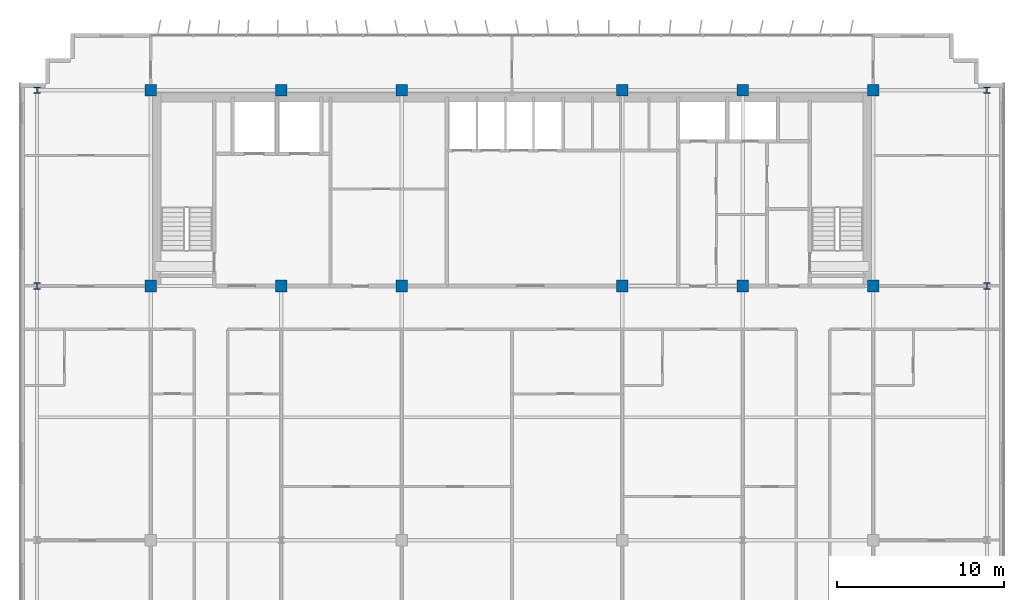
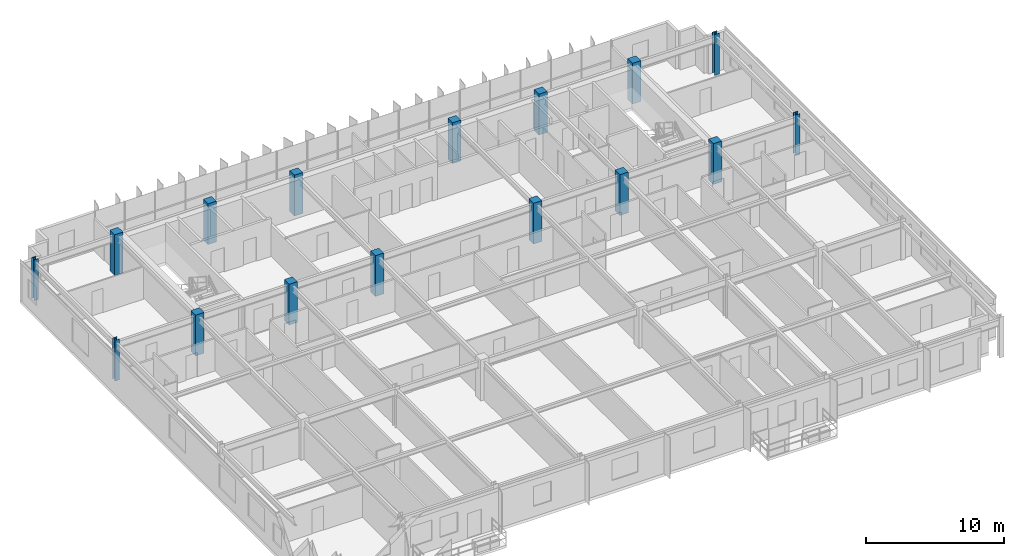
# One storey, part 2 of 20: 16 columns.
"""IFC4 building model written with IfcOpenShell, lengths in metres."""

from ifc_helpers import new_model, si_unit, direction, frame, origin, origin_2d, place, context, subcontext, project, spatial, rectangle, i_section, extrude, source, transform, mapped, material, material_profile, profile_set, type_object, element, save


model = new_model("IFC4")

# Units and contexts
model_context = context("Model", 3, precision=1e-05, world=origin(), true_north=direction((0.0, 1.0)))
body_context = subcontext(model_context, "Body", "Model", "MODEL_VIEW")
ifc_project = project(units=[si_unit("LENGTHUNIT", "METRE"), si_unit("AREAUNIT", "SQUARE_METRE"), si_unit("VOLUMEUNIT", "CUBIC_METRE"), si_unit("PLANEANGLEUNIT", "RADIAN"), si_unit("MASSUNIT", "GRAM", prefix="KILO")], contexts=[model_context])

# Site, building, storey
site_placement = place(None, origin())
site = spatial("IfcSite", under=ifc_project, at=site_placement, CompositionType="ELEMENT")
building_placement = place(site_placement, origin())
building = spatial("IfcBuilding", under=site, at=building_placement, Name="Trelvane Seafront Commons", CompositionType="ELEMENT")
storey_placement = place(building_placement, frame((0.0, 0.0, 164.5)))
storey = spatial("IfcBuildingStorey", under=building, at=storey_placement, Name="L43", CompositionType="ELEMENT", Elevation=164.5)

# Columns
ifc_material_1 = material(Name="Steel SM355 (S355)", Category="steel")
ifc_material_profile_1 = material_profile(ifc_material_1, i_section(OverallWidth=0.3798828125, OverallDepth=0.3798828125, WebThickness=0.02001953125, FlangeThickness=0.030029296875, at=origin_2d()), Name="HD-380x380x20x30")
ifc_profile_set_1 = profile_set([ifc_material_profile_1], Name="Steel SM355 (S355)")
column_type_1 = type_object("IfcColumnType", Name="STR-COL-HD380", PredefinedType="COLUMN", material=ifc_profile_set_1)
shared_shape_1 = source(origin(), body_context, "Body", "SweptSolid", [
    extrude(i_section(OverallWidth=0.3798828125, OverallDepth=0.3798828125, WebThickness=0.02001953125, FlangeThickness=0.030029296875, at=origin_2d()), origin(), (0.0, 0.0, 1.0), 3.60009765625),
])
for number, where, z_axis, x_axis, name in (
    (1, (8.800048828125, 33.39990234375, 0.0), (0.0, 0.0, 1.0), (1.0, 0.0, 0.0), "L43 Column TC-CS8.8"),
    (2, (8.800048828125, 45.10009765625, 0.0), (0.0, 0.0, 1.0), (1.0, 0.0, 0.0), "L43 Column TC-CN8.8"),
    (3, (65.60009765625, 33.39990234375, 0.0), (0.0, 0.0, 1.0), (1.0, 0.0, 0.0), "L43 Column TC-CS65.6"),
    (4, (65.60009765625, 45.10009765625, 0.0), (0.0, 0.0, 1.0), (1.0, 0.0, 0.0), "L43 Column TC-CN65.6"),
):
    element("IfcColumn", number, at=place(storey_placement, frame(where, z_axis=z_axis, x_axis=x_axis)), inside=storey, type_object=column_type_1, Name=name, PredefinedType="COLUMN", context=body_context, shape_type="MappedRepresentation", body=[
        mapped(shared_shape_1, transform((0.0, 0.0, 0.0), x_axis=(1.0, 0.0, 0.0), y_axis=(0.0, 1.0, 0.0), z_axis=(0.0, 0.0, 1.0), scale=1.0)),
    ])
ifc_material_2 = material(Name="Concrete C50/60", Category="concrete")
ifc_material_profile_2 = material_profile(ifc_material_2, rectangle(XDim=0.699951171875, YDim=0.699951171875, at=origin_2d()), Name="RC-700x700")
ifc_profile_set_2 = profile_set([ifc_material_profile_2], Name="Concrete C50/60")
column_type_2 = type_object("IfcColumnType", Name="STR-COL-RC700", PredefinedType="COLUMN", material=ifc_profile_set_2)
shared_shape_2 = source(origin(), body_context, "Body", "SweptSolid", [
    extrude(rectangle(XDim=0.699951171875, YDim=0.699951171875, at=origin_2d()), origin(), (0.0, 0.0, 1.0), 3.60009765625),
])
for number, where, z_axis, x_axis, name in (
    (5, (15.60009765625, 33.39990234375, 0.0), (0.0, 0.0, 1.0), (1.0, 0.0, 0.0), "L43 Column TC-CS15.6"),
    (6, (15.60009765625, 45.10009765625, 0.0), (0.0, 0.0, 1.0), (1.0, 0.0, 0.0), "L43 Column TC-CN15.6"),
    (7, (23.39990234375, 33.39990234375, 0.0), (0.0, 0.0, 1.0), (1.0, 0.0, 0.0), "L43 Column TC-CS23.4"),
    (8, (23.39990234375, 45.10009765625, 0.0), (0.0, 0.0, 1.0), (1.0, 0.0, 0.0), "L43 Column TC-CN23.4"),
    (9, (30.60009765625, 33.39990234375, 0.0), (0.0, 0.0, 1.0), (1.0, 0.0, 0.0), "L43 Column TC-CS30.6"),
    (10, (30.60009765625, 45.10009765625, 0.0), (0.0, 0.0, 1.0), (1.0, 0.0, 0.0), "L43 Column TC-CN30.6"),
    (11, (43.800048828125, 33.39990234375, 0.0), (0.0, 0.0, 1.0), (1.0, 0.0, 0.0), "L43 Column TC-CS43.8"),
    (12, (43.800048828125, 45.10009765625, 0.0), (0.0, 0.0, 1.0), (1.0, 0.0, 0.0), "L43 Column TC-CN43.8"),
    (13, (51.0, 33.39990234375, 0.0), (0.0, 0.0, 1.0), (1.0, 0.0, 0.0), "L43 Column TC-CS51.0"),
    (14, (51.0, 45.10009765625, 0.0), (0.0, 0.0, 1.0), (1.0, 0.0, 0.0), "L43 Column TC-CN51.0"),
    (15, (58.800048828125, 33.39990234375, 0.0), (0.0, 0.0, 1.0), (1.0, 0.0, 0.0), "L43 Column TC-CS58.8"),
    (16, (58.800048828125, 45.10009765625, 0.0), (0.0, 0.0, 1.0), (1.0, 0.0, 0.0), "L43 Column TC-CN58.8"),
):
    element("IfcColumn", number, at=place(storey_placement, frame(where, z_axis=z_axis, x_axis=x_axis)), inside=storey, type_object=column_type_2, Name=name, PredefinedType="COLUMN", context=body_context, shape_type="MappedRepresentation", body=[
        mapped(shared_shape_2, transform((0.0, 0.0, 0.0), x_axis=(1.0, 0.0, 0.0), y_axis=(0.0, 1.0, 0.0), z_axis=(0.0, 0.0, 1.0), scale=1.0)),
    ])

save(model, "model.ifc")
